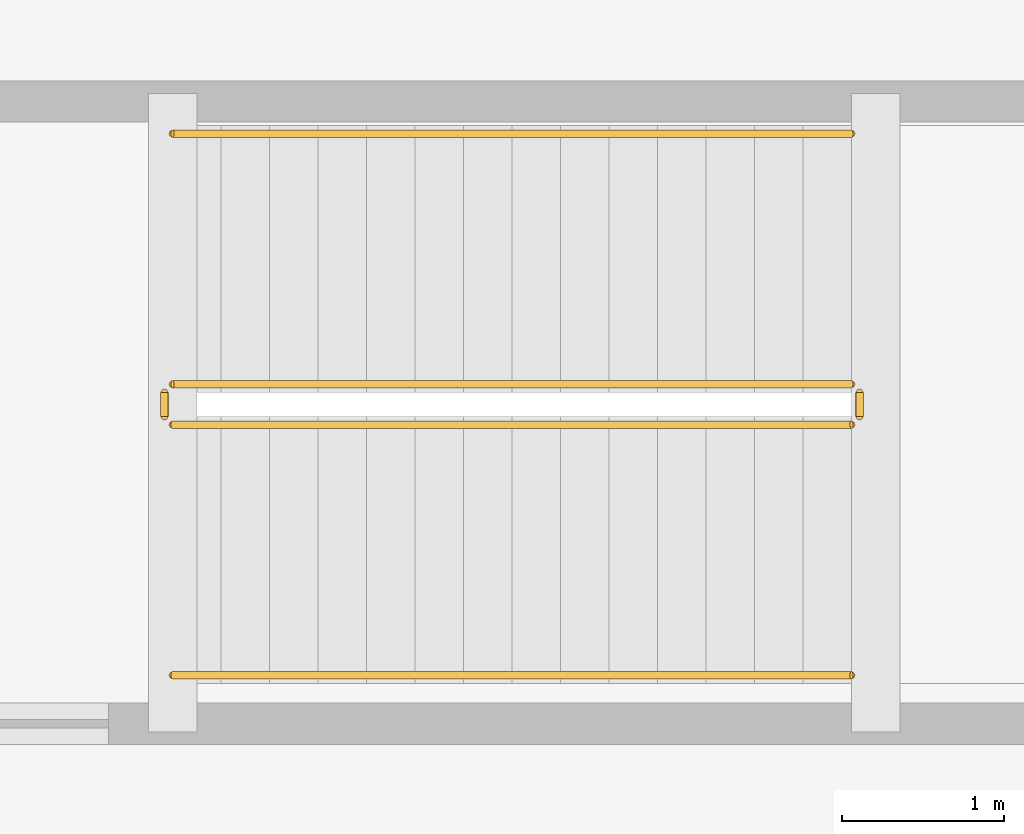
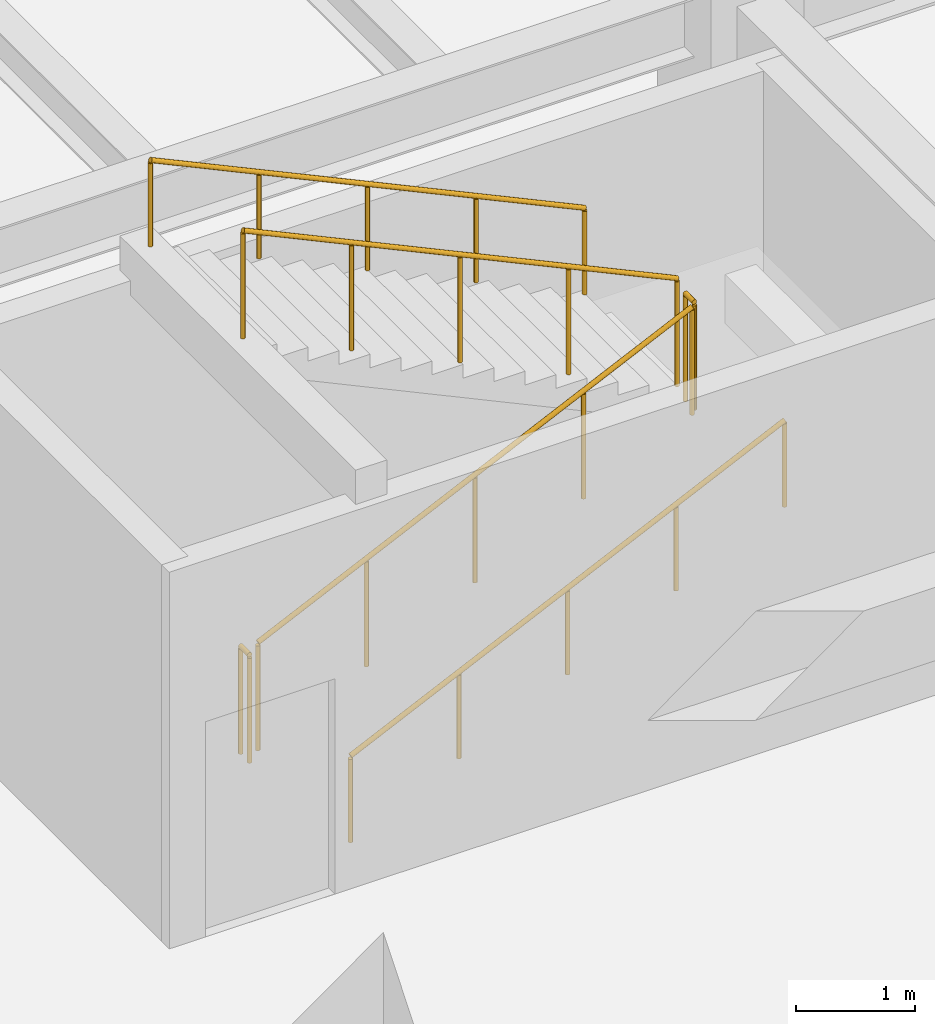
# One storey, part 57 of 63: 6 railings.
"""IFC4 building model written with IfcOpenShell, lengths in metres."""

from ifc_helpers import new_model, si_unit, direction, frame, origin, origin_2d, place, context, subcontext, project, spatial, circle, extrude, material, type_object, element, save


model = new_model("IFC4")

# Units and contexts
model_context = context("Model", 3, precision=1e-05, world=origin(), true_north=direction((0.0, 1.0)))
body_context = subcontext(model_context, "Body", "Model", "MODEL_VIEW")
ifc_project = project(units=[si_unit("LENGTHUNIT", "METRE"), si_unit("AREAUNIT", "SQUARE_METRE"), si_unit("VOLUMEUNIT", "CUBIC_METRE"), si_unit("PLANEANGLEUNIT", "RADIAN"), si_unit("MASSUNIT", "GRAM", prefix="KILO")], contexts=[model_context])

# Site, building, storey
site_placement = place(None, origin())
site = spatial("IfcSite", under=ifc_project, at=site_placement, CompositionType="ELEMENT")
building_placement = place(site_placement, origin())
building = spatial("IfcBuilding", under=site, at=building_placement, Name="Cumbredor Promenade Congress Hotel", CompositionType="ELEMENT")
storey_placement = place(building_placement, frame((0.0, 0.0, -4.199951171875)))
storey = spatial("IfcBuildingStorey", under=building, at=storey_placement, Name="B01", CompositionType="ELEMENT", Elevation=-4.199951171875)

# Railings
ifc_material = material(Name="Brushed stainless steel", Category="steel")
railing_type_1 = type_object("IfcRailingType", Name="Interior Void & Stair Guardrail GR-1100", PredefinedType="GUARDRAIL", material=ifc_material)
railing_1_placement = place(storey_placement, frame((60.75, 63.949951171875, 0.139892578125)))
element("IfcRailing", 1, at=railing_1_placement, inside=storey, type_object=railing_type_1, Name="B01 ST-07 stair guard 1", PredefinedType="GUARDRAIL", context=body_context, shape_type="SweptSolid", body=[
    extrude(circle(Radius=0.02392578125, at=origin_2d()), frame((0.0, 0.0, 1.09619140625), z_axis=(0.906184485727, 0.0, 0.422882581609), x_axis=(0.0, 1.0, 0.0)), (0.0, 0.0, 1.0), 4.634765625),
    extrude(circle(Radius=0.02099609375, at=origin_2d()), origin(), (0.0, 0.0, 1.0), 1.072021484375),
    extrude(circle(Radius=0.02099609375, at=origin_2d()), frame((1.050048828125, 0.0, 0.489990234375)), (0.0, 0.0, 1.0), 1.072021484375),
    extrude(circle(Radius=0.02099609375, at=origin_2d()), frame((2.10009765625, 0.0, 0.97998046875)), (0.0, 0.0, 1.0), 1.072021484375),
    extrude(circle(Radius=0.02099609375, at=origin_2d()), frame((3.14990234375, 0.0, 1.469970703125)), (0.0, 0.0, 1.0), 1.072021484375),
    extrude(circle(Radius=0.02099609375, at=origin_2d()), frame((4.199951171875, 0.0, 1.9599609375)), (0.0, 0.0, 1.0), 1.072021484375),
])
railing_2_placement = place(storey_placement, frame((65.0, 64.0, 2.099853515625)))
element("IfcRailing", 2, at=railing_2_placement, inside=storey, type_object=railing_type_1, Name="B01 ST-07 stair guard 2", PredefinedType="GUARDRAIL", context=body_context, shape_type="SweptSolid", body=[
    extrude(circle(Radius=0.02392578125, at=origin_2d()), frame((0.0, 0.0, 1.09619140625), z_axis=(0.0, 1.0, 0.0), x_axis=(-1.0, 0.0, 0.0)), (0.0, 0.0, 1.0), 0.14990234375),
    extrude(circle(Radius=0.02099609375, at=origin_2d()), origin(), (0.0, 0.0, 1.0), 1.072021484375),
    extrude(circle(Radius=0.02099609375, at=origin_2d()), frame((0.0, 0.14990234375, 0.0)), (0.0, 0.0, 1.0), 1.072021484375),
])
railing_3_placement = place(storey_placement, frame((64.949951171875, 64.199951171875, 2.239990234375)))
element("IfcRailing", 3, at=railing_3_placement, inside=storey, type_object=railing_type_1, Name="B01 ST-07 stair guard 3", PredefinedType="GUARDRAIL", context=body_context, shape_type="SweptSolid", body=[
    extrude(circle(Radius=0.02392578125, at=origin_2d()), frame((0.0, 0.0, 1.09619140625), z_axis=(-0.906184485727, 0.0, 0.422882581609), x_axis=(0.0, -1.0, 0.0)), (0.0, 0.0, 1.0), 4.634765625),
    extrude(circle(Radius=0.02099609375, at=origin_2d()), origin(), (0.0, 0.0, 1.0), 1.072021484375),
    extrude(circle(Radius=0.02099609375, at=origin_2d()), frame((-1.050048828125, 0.0, 0.489990234375)), (0.0, 0.0, 1.0), 1.072021484375),
    extrude(circle(Radius=0.02099609375, at=origin_2d()), frame((-2.10009765625, 0.0, 0.97998046875)), (0.0, 0.0, 1.0), 1.072021484375),
    extrude(circle(Radius=0.02099609375, at=origin_2d()), frame((-3.14990234375, 0.0, 1.469970703125)), (0.0, 0.0, 1.0), 1.072021484375),
    extrude(circle(Radius=0.02099609375, at=origin_2d()), frame((-4.199951171875, 0.0, 1.9599609375)), (0.0, 0.0, 1.0), 1.072021484375),
])
railing_4_placement = place(storey_placement, frame((60.699951171875, 64.0, 0.0)))
element("IfcRailing", 4, at=railing_4_placement, inside=storey, type_object=railing_type_1, Name="B01 ST-07 stair guard 4", PredefinedType="GUARDRAIL", context=body_context, shape_type="SweptSolid", body=[
    extrude(circle(Radius=0.02392578125, at=origin_2d()), frame((0.0, 0.0, 1.09619140625), z_axis=(0.0, 1.0, 0.0), x_axis=(-1.0, 0.0, 0.0)), (0.0, 0.0, 1.0), 0.14990234375),
    extrude(circle(Radius=0.02099609375, at=origin_2d()), origin(), (0.0, 0.0, 1.0), 1.072021484375),
    extrude(circle(Radius=0.02099609375, at=origin_2d()), frame((0.0, 0.14990234375, 0.0)), (0.0, 0.0, 1.0), 1.072021484375),
])
railing_type_2 = type_object("IfcRailingType", Name="Stair Pitch Handrail HR-900", PredefinedType="HANDRAIL", material=ifc_material)
railing_5_placement = place(storey_placement, frame((60.75, 62.39990234375, 0.139892578125)))
element("IfcRailing", 5, at=railing_5_placement, inside=storey, type_object=railing_type_2, Name="B01 ST-07 stair handrail 1", PredefinedType="HANDRAIL", context=body_context, shape_type="SweptSolid", body=[
    extrude(circle(Radius=0.02392578125, at=origin_2d()), frame((0.0, 0.0, 0.8759765625), z_axis=(0.906184485727, 0.0, 0.422882581609), x_axis=(0.0, 1.0, 0.0)), (0.0, 0.0, 1.0), 4.634765625),
    extrude(circle(Radius=0.02099609375, at=origin_2d()), origin(), (0.0, 0.0, 1.0), 0.851806640625),
    extrude(circle(Radius=0.02099609375, at=origin_2d()), frame((1.050048828125, 0.0, 0.489990234375)), (0.0, 0.0, 1.0), 0.851806640625),
    extrude(circle(Radius=0.02099609375, at=origin_2d()), frame((2.10009765625, 0.0, 0.97998046875)), (0.0, 0.0, 1.0), 0.851806640625),
    extrude(circle(Radius=0.02099609375, at=origin_2d()), frame((3.14990234375, 0.0, 1.469970703125)), (0.0, 0.0, 1.0), 0.851806640625),
    extrude(circle(Radius=0.02099609375, at=origin_2d()), frame((4.199951171875, 0.0, 1.9599609375)), (0.0, 0.0, 1.0), 0.851806640625),
])
railing_6_placement = place(storey_placement, frame((64.949951171875, 65.75, 2.239990234375)))
element("IfcRailing", 6, at=railing_6_placement, inside=storey, type_object=railing_type_2, Name="B01 ST-07 stair handrail 2", PredefinedType="HANDRAIL", context=body_context, shape_type="SweptSolid", body=[
    extrude(circle(Radius=0.02392578125, at=origin_2d()), frame((0.0, 0.0, 0.8759765625), z_axis=(-0.906184485727, 0.0, 0.422882581609), x_axis=(0.0, -1.0, 0.0)), (0.0, 0.0, 1.0), 4.634765625),
    extrude(circle(Radius=0.02099609375, at=origin_2d()), origin(), (0.0, 0.0, 1.0), 0.851806640625),
    extrude(circle(Radius=0.02099609375, at=origin_2d()), frame((-1.050048828125, 0.0, 0.489990234375)), (0.0, 0.0, 1.0), 0.851806640625),
    extrude(circle(Radius=0.02099609375, at=origin_2d()), frame((-2.10009765625, 0.0, 0.97998046875)), (0.0, 0.0, 1.0), 0.851806640625),
    extrude(circle(Radius=0.02099609375, at=origin_2d()), frame((-3.14990234375, 0.0, 1.469970703125)), (0.0, 0.0, 1.0), 0.851806640625),
    extrude(circle(Radius=0.02099609375, at=origin_2d()), frame((-4.199951171875, 0.0, 1.9599609375)), (0.0, 0.0, 1.0), 0.851806640625),
])

save(model, "model.ifc")
